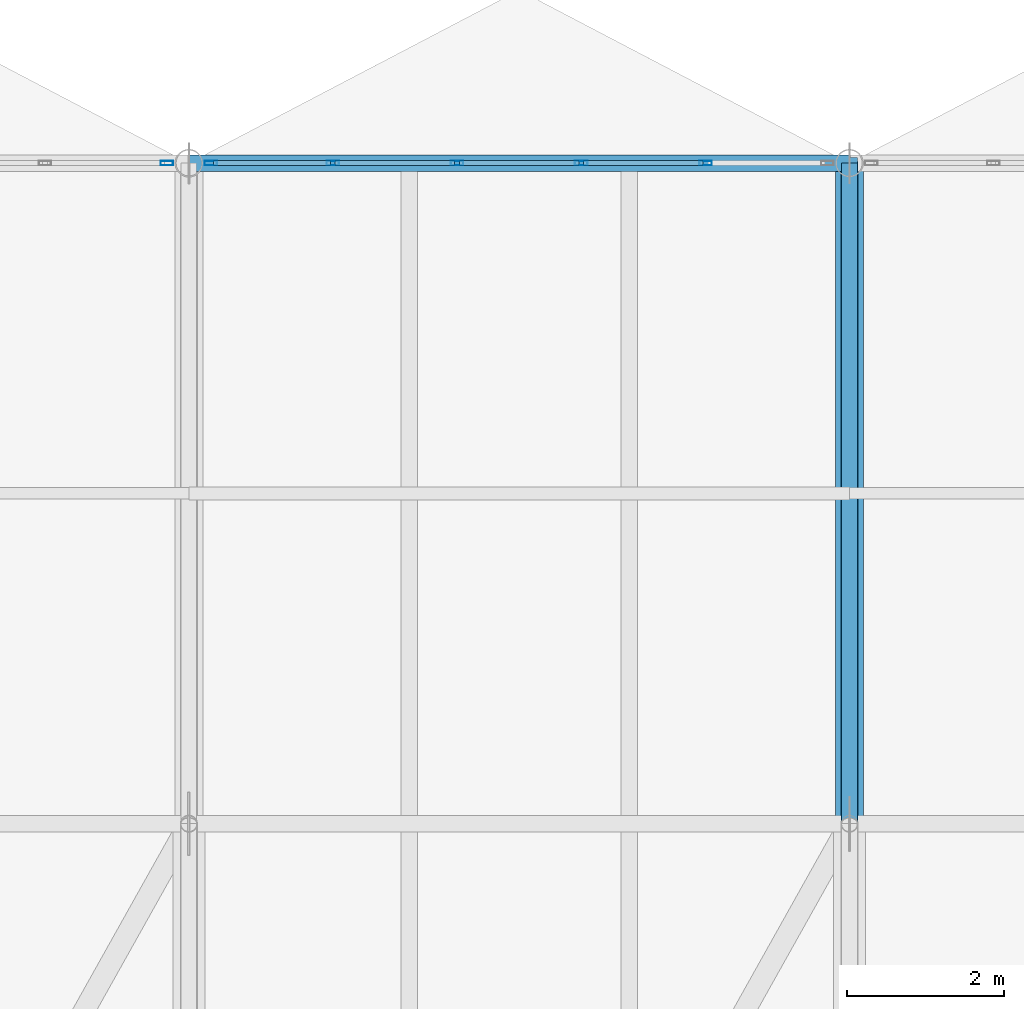
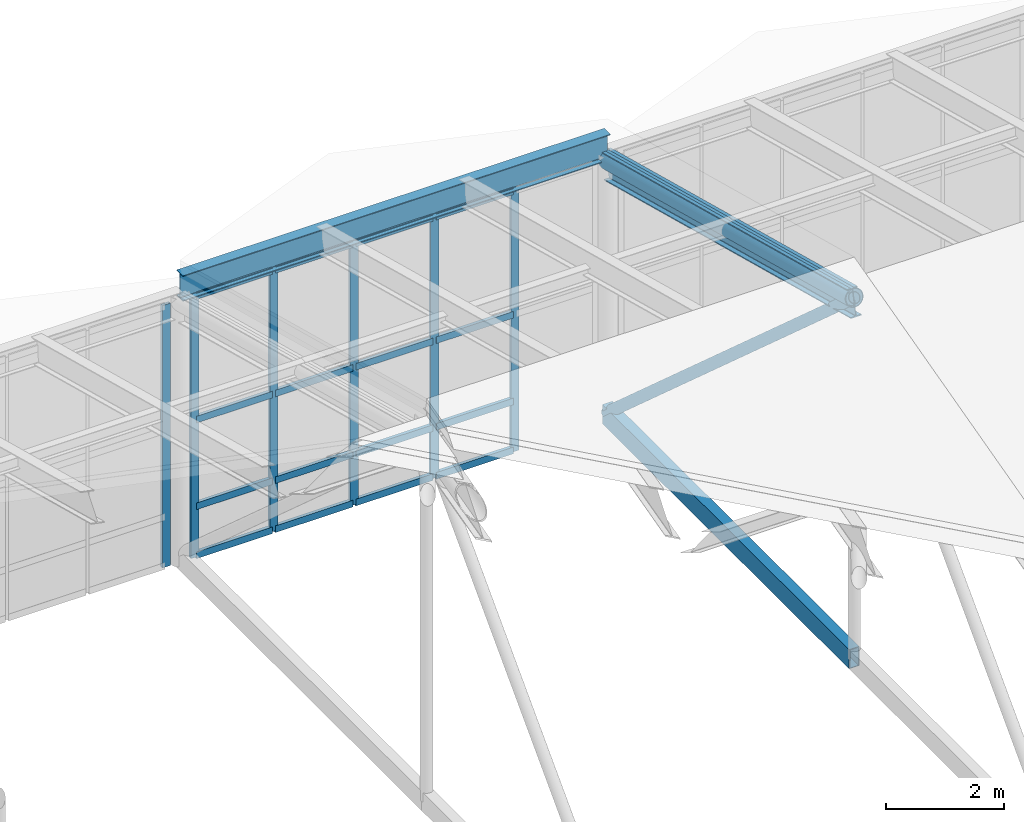
# One storey, part 17 of 43: 25 members, 2 beams, 2 elements without a shape of their own.
"""IFC4 building model written with IfcOpenShell, lengths in metres."""

import ifcopenshell
import ifcopenshell.guid

model = None  # the IFC model being written
_history = None  # IfcOwnerHistory: only IFC2X3 demands one
_inside = {}  # id of a spatial element -> (the spatial element, [elements in it])
_under = {}  # id of a project, library or spatial element -> (it, [spatial elements below it])
_declared = {}  # id of a project -> (the project, [libraries it declares])
_typed = {}  # id of a type object -> (the type object, [elements of that type])
_made_of = {}  # id of a material, layer set ... -> (it, [elements and type objects made of it])


def new_model(schema):
    """Start an empty IFC model of exactly this schema.

    Asked for "IFC4X3", IfcOpenShell would pick the latest addendum, in which some entities
    have other attributes; the version numbers below select the first issue.
    IFC2X3 requires an IfcOwnerHistory on every rooted entity: one is made here for all.
    """
    global model, _history
    if schema == "IFC4X3":
        model = ifcopenshell.file(schema_version=(4, 3, 0, 0))
    else:
        model = ifcopenshell.file(schema=schema)
    _inside.clear()
    _under.clear()
    _declared.clear()
    _typed.clear()
    _made_of.clear()
    _history = None
    if model.schema == "IFC2X3":
        org = make("IfcOrganization", Name="unknown")
        user = make(
            "IfcPersonAndOrganization",
            ThePerson=make("IfcPerson", FamilyName="unknown"),
            TheOrganization=org,
        )
        app = make(
            "IfcApplication",
            ApplicationDeveloper=org,
            Version="unknown",
            ApplicationFullName="unknown",
            ApplicationIdentifier="unknown",
        )
        _history = make(
            "IfcOwnerHistory",
            OwningUser=user,
            OwningApplication=app,
            ChangeAction="ADDED",
            CreationDate=0,
        )
    return model


def make(cls, **values):
    """One entity of the class cls with the attributes given. An attribute that is None is left unset."""
    return model.create_entity(
        cls, **{name: value for name, value in values.items() if value is not None}
    )


def rooted(cls, **values):
    """An entity with a GlobalId (a new one), such as an element, a storey or a relation."""
    return make(cls, GlobalId=ifcopenshell.guid.new(), OwnerHistory=_history, **values)


def si_unit(unit_type, name, prefix=None):
    """IfcSIUnit, for example si_unit("LENGTHUNIT", "METRE", prefix="MILLI")."""
    return make("IfcSIUnit", UnitType=unit_type, Prefix=prefix, Name=name)


def assignment(units):
    """IfcUnitAssignment: the units of a project."""
    return None if units is None else make("IfcUnitAssignment", Units=units)


def point(xyz):
    """IfcCartesianPoint."""
    return None if xyz is None else make("IfcCartesianPoint", Coordinates=xyz)


def direction(xyz):
    """IfcDirection."""
    return None if xyz is None else make("IfcDirection", DirectionRatios=xyz)


def frame(location, z_axis=None, x_axis=None):
    """IfcAxis2Placement3D, a coordinate frame: its origin and axes. An axis left out is left unset."""
    return make(
        "IfcAxis2Placement3D",
        Location=point(location),
        Axis=direction(z_axis),
        RefDirection=direction(x_axis),
    )


def frame_2d(location, x_axis=None):
    """IfcAxis2Placement2D, a coordinate frame in the plane: its origin and x axis."""
    return make(
        "IfcAxis2Placement2D", Location=point(location), RefDirection=direction(x_axis)
    )


def origin():
    """The frame at (0, 0, 0) with its axes left unset."""
    return frame((0.0, 0.0, 0.0))


def origin_2d():
    """The frame at (0, 0) in the plane with its x axis left unset."""
    return frame_2d((0.0, 0.0))


def place(relative_to, where):
    """IfcLocalPlacement: puts the frame where relative to a parent placement (None: the world)."""
    return make(
        "IfcLocalPlacement", PlacementRelTo=relative_to, RelativePlacement=where
    )


def context(
    kind, dimensions, precision=None, world=None, true_north=None, identifier=None
):
    """IfcGeometricRepresentationContext, for example the 3D "Model" context."""
    return make(
        "IfcGeometricRepresentationContext",
        ContextIdentifier=identifier,
        ContextType=kind,
        CoordinateSpaceDimension=dimensions,
        Precision=precision,
        WorldCoordinateSystem=world,
        TrueNorth=true_north,
    )


def subcontext(parent, identifier, kind, view, scale=None):
    """IfcGeometricRepresentationSubContext, for example "Body" below "Model"."""
    return make(
        "IfcGeometricRepresentationSubContext",
        ContextIdentifier=identifier,
        ContextType=kind,
        ParentContext=parent,
        TargetScale=scale,
        TargetView=view,
    )


def project(units=None, contexts=None):
    """IfcProject with its units and contexts."""
    return rooted(
        "IfcProject",
        Name="project",
        RepresentationContexts=contexts,
        UnitsInContext=assignment(units),
    )


def spatial(cls, under=None, at=None, **own):
    """A site, building, storey or space (cls), placed at a placement, below another one or the project."""
    s = rooted(cls, ObjectPlacement=at, **own)
    if under is not None:
        _under.setdefault(under.id(), (under, []))[1].append(s)
    return s


def profile(cls, at=None, kind="AREA", **sizes):
    """A parametric profile (cls). Its sizes go by their IFC names, for example OverallWidth=200.0."""
    return make(cls, ProfileType=kind, Position=at, **sizes)


def hollow_rectangle(**sizes):
    """IfcRectangleHollowProfileDef."""
    return profile("IfcRectangleHollowProfileDef", **sizes)


def hollow_circle(**sizes):
    """IfcCircleHollowProfileDef."""
    return profile("IfcCircleHollowProfileDef", **sizes)


def i_section(**sizes):
    """IfcIShapeProfileDef."""
    return profile("IfcIShapeProfileDef", **sizes)


def extrude(swept, where, along, depth):
    """IfcExtrudedAreaSolid: the profile swept, set in the frame where, extruded along a direction by depth."""
    return make(
        "IfcExtrudedAreaSolid",
        SweptArea=swept,
        Position=where,
        ExtrudedDirection=direction(along),
        Depth=depth,
    )


def shape(context_of_items, identifier, shape_type, items):
    """IfcShapeRepresentation: the items that make up one representation, for example the "Body"."""
    return make(
        "IfcShapeRepresentation",
        ContextOfItems=context_of_items,
        RepresentationIdentifier=identifier,
        RepresentationType=shape_type,
        Items=items,
    )


def material(Name=None, Category=None):
    """IfcMaterial."""
    return make("IfcMaterial", Name=Name, Category=Category)


def layer(
    of_material, thickness, ventilated=None, Name=None, Category=None, Priority=None
):
    """IfcMaterialLayer: one layer of a wall or slab, of a material (None: an air gap)."""
    return make(
        "IfcMaterialLayer",
        Material=of_material,
        LayerThickness=thickness,
        IsVentilated=ventilated,
        Name=Name,
        Category=Category,
        Priority=Priority,
    )


def layer_set(layers, Name=None):
    """IfcMaterialLayerSet."""
    return make("IfcMaterialLayerSet", MaterialLayers=layers, LayerSetName=Name)


def material_profile(
    of_material, cross_section, Name=None, Category=None, Priority=None
):
    """IfcMaterialProfile: a cross section and its material."""
    return make(
        "IfcMaterialProfile",
        Name=Name,
        Material=of_material,
        Profile=cross_section,
        Priority=Priority,
        Category=Category,
    )


def profile_set(profiles, Name=None, composite=None):
    """IfcMaterialProfileSet."""
    return make(
        "IfcMaterialProfileSet",
        Name=Name,
        MaterialProfiles=profiles,
        CompositeProfile=composite,
    )


def made_of(thing, what):
    """Note that an element or type object is made of a material, layer set ...; save() writes the relation."""
    if what is not None:
        _made_of.setdefault(what.id(), (what, []))[1].append(thing)
    return thing


def type_object(cls, material=None, **own):
    """A type object (cls), such as IfcWallType, which elements share."""
    return made_of(rooted(cls, **own), material)


def element(
    cls,
    number,
    at=None,
    inside=None,
    cuts=None,
    type_object=None,
    material=None,
    context=None,
    identifier="Body",
    shape_type=None,
    held_by="IfcProductDefinitionShape",
    body=None,
    shapes=None,
    **own,
):
    """One element of the class cls, such as IfcWall. Its Tag is "e" and its number.

    at: its placement. inside: the storey or other place that contains it. cuts: it is an
    opening in that element (IfcRelVoidsElement). A single representation is given by context,
    identifier, shape_type and body (its items); several are given by shapes. held_by: the class
    of the entity that holds the representations. save() writes the other relations.
    """
    e = rooted(cls, Tag="e%d" % number, ObjectPlacement=at, **own)
    if body is not None:
        shapes = [shape(context, identifier, shape_type, body)]
    if shapes is not None:
        e.Representation = make(held_by, Representations=shapes)
    if inside is not None:
        _inside.setdefault(inside.id(), (inside, []))[1].append(e)
    if cuts is not None:
        rooted(
            "IfcRelVoidsElement", RelatingBuildingElement=cuts, RelatedOpeningElement=e
        )
    if type_object is not None:
        _typed.setdefault(type_object.id(), (type_object, []))[1].append(e)
    return made_of(e, material)


def aggregate(whole, parts):
    """IfcRelAggregates: a whole, such as a stair, and the parts it consists of."""
    return rooted("IfcRelAggregates", RelatingObject=whole, RelatedObjects=parts)


def save(model, path):
    """Write the relations noted so far, then the file.

    IfcRelAggregates (storeys below a building ...), IfcRelContainedInSpatialStructure (elements
    in a storey), IfcRelDefinesByType, IfcRelAssociatesMaterial and IfcRelDeclares: one each for
    every whole, place, type object, material and project.
    """
    for whole, parts in _under.values():
        aggregate(whole, parts)
    for where, things in _inside.values():
        rooted(
            "IfcRelContainedInSpatialStructure",
            RelatedElements=things,
            RelatingStructure=where,
        )
    for kind, things in _typed.values():
        rooted("IfcRelDefinesByType", RelatedObjects=things, RelatingType=kind)
    for what, things in _made_of.values():
        rooted("IfcRelAssociatesMaterial", RelatedObjects=things, RelatingMaterial=what)
    for by, libraries in _declared.values():
        rooted("IfcRelDeclares", RelatingContext=by, RelatedDefinitions=libraries)
    model.write(path)


model = new_model("IFC4")

# Units and contexts
model_context = context("Model", 3, precision=1e-05, world=origin(), true_north=direction((0.0, 1.0)))
body_context = subcontext(model_context, "Body", "Model", "MODEL_VIEW")
ifc_project = project(units=[si_unit("LENGTHUNIT", "METRE"), si_unit("AREAUNIT", "SQUARE_METRE"), si_unit("VOLUMEUNIT", "CUBIC_METRE"), si_unit("PLANEANGLEUNIT", "RADIAN"), si_unit("MASSUNIT", "GRAM", prefix="KILO")], contexts=[model_context])

# Site, building, storey
site_placement = place(None, origin())
site = spatial("IfcSite", under=ifc_project, at=site_placement, CompositionType="ELEMENT")
building_placement = place(site_placement, origin())
building = spatial("IfcBuilding", under=site, at=building_placement, Name="Selat Folded Stagehouse", CompositionType="ELEMENT")
storey_placement = place(building_placement, frame((0.0, 0.0, 32.39990234375)))
storey = spatial("IfcBuildingStorey", under=building, at=storey_placement, Name="RF", CompositionType="ELEMENT", Elevation=32.39990234375)

# Beams
ifc_material_1 = material(Name="Steel S355", Category="steel")
ifc_material_profile_1 = material_profile(ifc_material_1, i_section(OverallWidth=0.210693359375, OverallDepth=0.53955078125, WebThickness=0.01171875, FlangeThickness=0.018798828125, FilletRadius=0.0126953125, at=origin_2d()), Name="UKB 533x210x109")
ifc_profile_set_1 = profile_set([ifc_material_profile_1], Name="Steel S355")
beam_type_1 = type_object("IfcBeamType", Name="BM-GIRD-533x210x109", PredefinedType="BEAM", material=ifc_profile_set_1)
beam_1_placement = place(storey_placement, frame((33.60009765625, 46.199951171875, 7.529296875), z_axis=(0.0, 0.966800633411, -0.25553186736), x_axis=(-1.0, 0.0, 0.0)))
element("IfcBeam", 1, at=beam_1_placement, inside=storey, type_object=beam_type_1, Name="RF primary north rafter beam 4", PredefinedType="BEAM", context=body_context, shape_type="SweptSolid", body=[
    extrude(i_section(OverallWidth=0.210693359375, OverallDepth=0.53955078125, WebThickness=0.01171875, FlangeThickness=0.018798828125, FilletRadius=0.0126953125, at=origin_2d()), origin(), (0.0, 0.0, 1.0), 8.688720703125),
])
ifc_material_profile_2 = material_profile(ifc_material_1, i_section(OverallWidth=0.209228515625, OverallDepth=0.533203125, WebThickness=0.010009765625, FlangeThickness=0.015625, FilletRadius=0.0126953125, at=origin_2d()), Name="UKB 533x210x92")
ifc_profile_set_2 = profile_set([ifc_material_profile_2], Name="Steel S355")
beam_type_2 = type_object("IfcBeamType", Name="BM-GIRD-533x210x92", PredefinedType="BEAM", material=ifc_profile_set_2)
beam_2_placement = place(storey_placement, frame((25.199951171875, 54.60009765625, 5.723388671875), z_axis=(1.0, 0.0, 0.0), x_axis=(0.0, 1.0, 0.0)))
element("IfcBeam", 2, at=beam_2_placement, inside=storey, type_object=beam_type_2, Name="RF bay 3 N roof bearer beam", PredefinedType="BEAM", context=body_context, shape_type="SweptSolid", body=[
    extrude(i_section(OverallWidth=0.209228515625, OverallDepth=0.533203125, WebThickness=0.010009765625, FlangeThickness=0.015625, FilletRadius=0.0126953125, at=origin_2d()), origin(), (0.0, 0.0, 1.0), 8.400146484375),
])

# Curtain wall, member
ifc_material_2 = material(Name="Aluminium 6063-T6", Category="aluminium")
ifc_layer = layer(ifc_material_2, 0.169921875)
ifc_layer_set = layer_set([ifc_layer], Name="Aluminium 6063-T6")
curtain_wall_type = type_object("IfcCurtainWallType", Name="CW-CRN-CLER", PredefinedType="NOTDEFINED", material=ifc_layer_set)
curtain_wall_1_placement = place(storey_placement, origin())
curtain_wall_1 = element("IfcCurtainWall", 3, at=curtain_wall_1_placement, inside=storey, type_object=curtain_wall_type, Name="RF curtain wall CW-RF-N-01", PredefinedType="NOTDEFINED")
ifc_material_profile_3 = material_profile(ifc_material_2, hollow_rectangle(XDim=0.06005859375, YDim=0.159912109375, WallThickness=0.00390625, at=origin_2d()), Name="ALU 160x60x4.0")
ifc_profile_set_3 = profile_set([ifc_material_profile_3], Name="Aluminium 6063-T6")
member_type_1 = type_object("IfcMemberType", Name="CWM-MUL-160x60", PredefinedType="MULLION", material=ifc_profile_set_3)
member_1_placement = place(storey_placement, frame((24.919921875, 54.60009765625, 0.0), z_axis=(0.0, 0.0, 1.0), x_axis=(0.0, 1.0, 0.0)))
member_1 = element("IfcMember", 4, at=member_1_placement, type_object=member_type_1, Name="CW-09 mullion 6", PredefinedType="MULLION", context=body_context, shape_type="SweptSolid", body=[
    extrude(hollow_rectangle(XDim=0.06005859375, YDim=0.159912109375, WallThickness=0.00390625, at=origin_2d()), origin(), (0.0, 0.0, 1.0), 5.4501953125),
])
aggregate(curtain_wall_1, [member_1])

# Curtain wall, members
curtain_wall_2_placement = place(storey_placement, origin())
curtain_wall_2 = element("IfcCurtainWall", 5, at=curtain_wall_2_placement, inside=storey, type_object=curtain_wall_type, Name="RF curtain wall CW-RF-N-02", PredefinedType="NOTDEFINED")
member_2_placement = place(storey_placement, frame((25.47998046875, 54.60009765625, 0.0), z_axis=(0.0, 0.0, 1.0), x_axis=(0.0, 1.0, 0.0)))
member_2 = element("IfcMember", 6, at=member_2_placement, type_object=member_type_1, Name="CW-09 mullion 1", PredefinedType="MULLION", context=body_context, shape_type="SweptSolid", body=[
    extrude(hollow_rectangle(XDim=0.06005859375, YDim=0.159912109375, WallThickness=0.00390625, at=origin_2d()), origin(), (0.0, 0.0, 1.0), 5.4501953125),
])
member_3_placement = place(storey_placement, frame((27.030029296875, 54.60009765625, 0.0), z_axis=(0.0, 0.0, 1.0), x_axis=(0.0, 1.0, 0.0)))
member_3 = element("IfcMember", 7, at=member_3_placement, type_object=member_type_1, Name="CW-09 mullion 2", PredefinedType="MULLION", context=body_context, shape_type="SweptSolid", body=[
    extrude(hollow_rectangle(XDim=0.06005859375, YDim=0.159912109375, WallThickness=0.00390625, at=origin_2d()), origin(), (0.0, 0.0, 1.0), 5.4501953125),
])
member_4_placement = place(storey_placement, frame((28.610107421875, 54.60009765625, 0.0), z_axis=(0.0, 0.0, 1.0), x_axis=(0.0, 1.0, 0.0)))
member_4 = element("IfcMember", 8, at=member_4_placement, type_object=member_type_1, Name="CW-09 mullion 3", PredefinedType="MULLION", context=body_context, shape_type="SweptSolid", body=[
    extrude(hollow_rectangle(XDim=0.06005859375, YDim=0.159912109375, WallThickness=0.00390625, at=origin_2d()), origin(), (0.0, 0.0, 1.0), 5.4501953125),
])
member_5_placement = place(storey_placement, frame((30.18994140625, 54.60009765625, 0.0), z_axis=(0.0, 0.0, 1.0), x_axis=(0.0, 1.0, 0.0)))
member_5 = element("IfcMember", 9, at=member_5_placement, type_object=member_type_1, Name="CW-09 mullion 4", PredefinedType="MULLION", context=body_context, shape_type="SweptSolid", body=[
    extrude(hollow_rectangle(XDim=0.06005859375, YDim=0.159912109375, WallThickness=0.00390625, at=origin_2d()), origin(), (0.0, 0.0, 1.0), 5.4501953125),
])
member_6_placement = place(storey_placement, frame((31.77001953125, 54.60009765625, 0.0), z_axis=(0.0, 0.0, 1.0), x_axis=(0.0, 1.0, 0.0)))
member_6 = element("IfcMember", 10, at=member_6_placement, type_object=member_type_1, Name="CW-09 mullion 5", PredefinedType="MULLION", context=body_context, shape_type="SweptSolid", body=[
    extrude(hollow_rectangle(XDim=0.06005859375, YDim=0.159912109375, WallThickness=0.00390625, at=origin_2d()), origin(), (0.0, 0.0, 1.0), 5.4501953125),
])
ifc_material_profile_4 = material_profile(ifc_material_2, hollow_rectangle(XDim=0.06494140625, YDim=0.139892578125, WallThickness=0.00390625, at=origin_2d()), Name="ALU 140x65x4.0")
ifc_profile_set_4 = profile_set([ifc_material_profile_4], Name="Aluminium 6063-T6")
member_type_2 = type_object("IfcMemberType", Name="CWM-TRN-140x65", PredefinedType="USERDEFINED", material=ifc_profile_set_4)
member_7_placement = place(storey_placement, frame((25.510009765625, 54.60009765625, 0.03271484375), z_axis=(1.0, 0.0, 0.0), x_axis=(0.0, 1.0, 0.0)))
member_7 = element("IfcMember", 11, at=member_7_placement, type_object=member_type_2, Name="CW-09 transom 1.1", ObjectType="TRANSOM", PredefinedType="USERDEFINED", context=body_context, shape_type="SweptSolid", body=[
    extrude(hollow_rectangle(XDim=0.06494140625, YDim=0.139892578125, WallThickness=0.00390625, at=origin_2d()), origin(), (0.0, 0.0, 1.0), 1.489990234375),
])
member_8_placement = place(storey_placement, frame((25.510009765625, 54.60009765625, 1.050048828125), z_axis=(1.0, 0.0, 0.0), x_axis=(0.0, 1.0, 0.0)))
member_8 = element("IfcMember", 12, at=member_8_placement, type_object=member_type_2, Name="CW-09 transom 1.2", ObjectType="TRANSOM", PredefinedType="USERDEFINED", context=body_context, shape_type="SweptSolid", body=[
    extrude(hollow_rectangle(XDim=0.06494140625, YDim=0.139892578125, WallThickness=0.00390625, at=origin_2d()), origin(), (0.0, 0.0, 1.0), 1.489990234375),
])
member_9_placement = place(storey_placement, frame((25.510009765625, 54.60009765625, 2.85009765625), z_axis=(1.0, 0.0, 0.0), x_axis=(0.0, 1.0, 0.0)))
member_9 = element("IfcMember", 13, at=member_9_placement, type_object=member_type_2, Name="CW-09 transom 1.3", ObjectType="TRANSOM", PredefinedType="USERDEFINED", context=body_context, shape_type="SweptSolid", body=[
    extrude(hollow_rectangle(XDim=0.06494140625, YDim=0.139892578125, WallThickness=0.00390625, at=origin_2d()), origin(), (0.0, 0.0, 1.0), 1.489990234375),
])
member_10_placement = place(storey_placement, frame((25.510009765625, 54.60009765625, 5.41748046875), z_axis=(1.0, 0.0, 0.0), x_axis=(0.0, 1.0, 0.0)))
member_10 = element("IfcMember", 14, at=member_10_placement, type_object=member_type_2, Name="CW-09 transom 1.4", ObjectType="TRANSOM", PredefinedType="USERDEFINED", context=body_context, shape_type="SweptSolid", body=[
    extrude(hollow_rectangle(XDim=0.06494140625, YDim=0.139892578125, WallThickness=0.00390625, at=origin_2d()), origin(), (0.0, 0.0, 1.0), 1.489990234375),
])
member_11_placement = place(storey_placement, frame((27.06005859375, 54.60009765625, 0.03271484375), z_axis=(1.0, 0.0, 0.0), x_axis=(0.0, 1.0, 0.0)))
member_11 = element("IfcMember", 15, at=member_11_placement, type_object=member_type_2, Name="CW-09 transom 2.1", ObjectType="TRANSOM", PredefinedType="USERDEFINED", context=body_context, shape_type="SweptSolid", body=[
    extrude(hollow_rectangle(XDim=0.06494140625, YDim=0.139892578125, WallThickness=0.00390625, at=origin_2d()), origin(), (0.0, 0.0, 1.0), 1.52001953125),
])
member_12_placement = place(storey_placement, frame((27.06005859375, 54.60009765625, 1.050048828125), z_axis=(1.0, 0.0, 0.0), x_axis=(0.0, 1.0, 0.0)))
member_12 = element("IfcMember", 16, at=member_12_placement, type_object=member_type_2, Name="CW-09 transom 2.2", ObjectType="TRANSOM", PredefinedType="USERDEFINED", context=body_context, shape_type="SweptSolid", body=[
    extrude(hollow_rectangle(XDim=0.06494140625, YDim=0.139892578125, WallThickness=0.00390625, at=origin_2d()), origin(), (0.0, 0.0, 1.0), 1.52001953125),
])
member_13_placement = place(storey_placement, frame((27.06005859375, 54.60009765625, 2.85009765625), z_axis=(1.0, 0.0, 0.0), x_axis=(0.0, 1.0, 0.0)))
member_13 = element("IfcMember", 17, at=member_13_placement, type_object=member_type_2, Name="CW-09 transom 2.3", ObjectType="TRANSOM", PredefinedType="USERDEFINED", context=body_context, shape_type="SweptSolid", body=[
    extrude(hollow_rectangle(XDim=0.06494140625, YDim=0.139892578125, WallThickness=0.00390625, at=origin_2d()), origin(), (0.0, 0.0, 1.0), 1.52001953125),
])
member_14_placement = place(storey_placement, frame((27.06005859375, 54.60009765625, 5.41748046875), z_axis=(1.0, 0.0, 0.0), x_axis=(0.0, 1.0, 0.0)))
member_14 = element("IfcMember", 18, at=member_14_placement, type_object=member_type_2, Name="CW-09 transom 2.4", ObjectType="TRANSOM", PredefinedType="USERDEFINED", context=body_context, shape_type="SweptSolid", body=[
    extrude(hollow_rectangle(XDim=0.06494140625, YDim=0.139892578125, WallThickness=0.00390625, at=origin_2d()), origin(), (0.0, 0.0, 1.0), 1.52001953125),
])
member_15_placement = place(storey_placement, frame((28.639892578125, 54.60009765625, 0.03271484375), z_axis=(1.0, 0.0, 0.0), x_axis=(0.0, 1.0, 0.0)))
member_15 = element("IfcMember", 19, at=member_15_placement, type_object=member_type_2, Name="CW-09 transom 3.1", ObjectType="TRANSOM", PredefinedType="USERDEFINED", context=body_context, shape_type="SweptSolid", body=[
    extrude(hollow_rectangle(XDim=0.06494140625, YDim=0.139892578125, WallThickness=0.00390625, at=origin_2d()), origin(), (0.0, 0.0, 1.0), 1.52001953125),
])
member_16_placement = place(storey_placement, frame((28.639892578125, 54.60009765625, 1.050048828125), z_axis=(1.0, 0.0, 0.0), x_axis=(0.0, 1.0, 0.0)))
member_16 = element("IfcMember", 20, at=member_16_placement, type_object=member_type_2, Name="CW-09 transom 3.2", ObjectType="TRANSOM", PredefinedType="USERDEFINED", context=body_context, shape_type="SweptSolid", body=[
    extrude(hollow_rectangle(XDim=0.06494140625, YDim=0.139892578125, WallThickness=0.00390625, at=origin_2d()), origin(), (0.0, 0.0, 1.0), 1.52001953125),
])
member_17_placement = place(storey_placement, frame((28.639892578125, 54.60009765625, 2.85009765625), z_axis=(1.0, 0.0, 0.0), x_axis=(0.0, 1.0, 0.0)))
member_17 = element("IfcMember", 21, at=member_17_placement, type_object=member_type_2, Name="CW-09 transom 3.3", ObjectType="TRANSOM", PredefinedType="USERDEFINED", context=body_context, shape_type="SweptSolid", body=[
    extrude(hollow_rectangle(XDim=0.06494140625, YDim=0.139892578125, WallThickness=0.00390625, at=origin_2d()), origin(), (0.0, 0.0, 1.0), 1.52001953125),
])
member_18_placement = place(storey_placement, frame((28.639892578125, 54.60009765625, 5.41748046875), z_axis=(1.0, 0.0, 0.0), x_axis=(0.0, 1.0, 0.0)))
member_18 = element("IfcMember", 22, at=member_18_placement, type_object=member_type_2, Name="CW-09 transom 3.4", ObjectType="TRANSOM", PredefinedType="USERDEFINED", context=body_context, shape_type="SweptSolid", body=[
    extrude(hollow_rectangle(XDim=0.06494140625, YDim=0.139892578125, WallThickness=0.00390625, at=origin_2d()), origin(), (0.0, 0.0, 1.0), 1.52001953125),
])
member_19_placement = place(storey_placement, frame((30.219970703125, 54.60009765625, 0.03271484375), z_axis=(1.0, 0.0, 0.0), x_axis=(0.0, 1.0, 0.0)))
member_19 = element("IfcMember", 23, at=member_19_placement, type_object=member_type_2, Name="CW-09 transom 4.1", ObjectType="TRANSOM", PredefinedType="USERDEFINED", context=body_context, shape_type="SweptSolid", body=[
    extrude(hollow_rectangle(XDim=0.06494140625, YDim=0.139892578125, WallThickness=0.00390625, at=origin_2d()), origin(), (0.0, 0.0, 1.0), 1.52001953125),
])
member_20_placement = place(storey_placement, frame((30.219970703125, 54.60009765625, 1.050048828125), z_axis=(1.0, 0.0, 0.0), x_axis=(0.0, 1.0, 0.0)))
member_20 = element("IfcMember", 24, at=member_20_placement, type_object=member_type_2, Name="CW-09 transom 4.2", ObjectType="TRANSOM", PredefinedType="USERDEFINED", context=body_context, shape_type="SweptSolid", body=[
    extrude(hollow_rectangle(XDim=0.06494140625, YDim=0.139892578125, WallThickness=0.00390625, at=origin_2d()), origin(), (0.0, 0.0, 1.0), 1.52001953125),
])
member_21_placement = place(storey_placement, frame((30.219970703125, 54.60009765625, 2.85009765625), z_axis=(1.0, 0.0, 0.0), x_axis=(0.0, 1.0, 0.0)))
member_21 = element("IfcMember", 25, at=member_21_placement, type_object=member_type_2, Name="CW-09 transom 4.3", ObjectType="TRANSOM", PredefinedType="USERDEFINED", context=body_context, shape_type="SweptSolid", body=[
    extrude(hollow_rectangle(XDim=0.06494140625, YDim=0.139892578125, WallThickness=0.00390625, at=origin_2d()), origin(), (0.0, 0.0, 1.0), 1.52001953125),
])
member_22_placement = place(storey_placement, frame((30.219970703125, 54.60009765625, 5.41748046875), z_axis=(1.0, 0.0, 0.0), x_axis=(0.0, 1.0, 0.0)))
member_22 = element("IfcMember", 26, at=member_22_placement, type_object=member_type_2, Name="CW-09 transom 4.4", ObjectType="TRANSOM", PredefinedType="USERDEFINED", context=body_context, shape_type="SweptSolid", body=[
    extrude(hollow_rectangle(XDim=0.06494140625, YDim=0.139892578125, WallThickness=0.00390625, at=origin_2d()), origin(), (0.0, 0.0, 1.0), 1.52001953125),
])
aggregate(curtain_wall_2, [member_2, member_3, member_4, member_5, member_6, member_7, member_8, member_9, member_10, member_11, member_12, member_13, member_14, member_15, member_16, member_17, member_18, member_19, member_20, member_21, member_22])

# Members
ifc_material_profile_5 = material_profile(ifc_material_1, hollow_circle(Radius=0.109619140625, WallThickness=0.010009765625, at=origin_2d()), Name="CHS 219.1x10.0")
ifc_profile_set_5 = profile_set([ifc_material_profile_5], Name="Steel S355")
member_type_3 = type_object("IfcMemberType", Name="MEM-BRACE-CHS219", PredefinedType="BRACE", material=ifc_profile_set_5)
member_23_placement = place(storey_placement, frame((33.60009765625, 46.199951171875, 7.6279296875), z_axis=(0.0, 0.746924046978, -0.664909368294), x_axis=(-1.0, 0.0, 0.0)))
element("IfcMember", 27, at=member_23_placement, inside=storey, type_object=member_type_3, Name="Folded-plate web diagonal 4.4", PredefinedType="BRACE", context=body_context, shape_type="SweptSolid", body=[
    extrude(hollow_circle(Radius=0.109619140625, WallThickness=0.010009765625, at=origin_2d()), origin(), (0.0, 0.0, 1.0), 11.246337890625),
])
ifc_material_profile_6 = material_profile(ifc_material_1, hollow_circle(Radius=0.177734375, WallThickness=0.01611328125, at=origin_2d()), Name="CHS 355.6x16.0")
ifc_profile_set_6 = profile_set([ifc_material_profile_6], Name="Steel S355")
member_type_4 = type_object("IfcMemberType", Name="MEM-CHORD-CHS355", PredefinedType="CHORD", material=ifc_profile_set_6)
member_24_placement = place(storey_placement, frame((33.60009765625, 46.199951171875, 7.6279296875), z_axis=(0.0, 0.966807574904, -0.255505602889), x_axis=(-1.0, 0.0, 0.0)))
element("IfcMember", 28, at=member_24_placement, inside=storey, type_object=member_type_4, Name="Folded-plate top chord 4.4", PredefinedType="CHORD", context=body_context, shape_type="SweptSolid", body=[
    extrude(hollow_circle(Radius=0.177734375, WallThickness=0.01611328125, at=origin_2d()), origin(), (0.0, 0.0, 1.0), 8.6884765625),
])
ifc_material_profile_7 = material_profile(ifc_material_1, hollow_rectangle(XDim=0.199951171875, YDim=0.39990234375, WallThickness=0.012451171875, at=origin_2d()), Name="RHS 400x200x12.5")
ifc_profile_set_7 = profile_set([ifc_material_profile_7], Name="Steel S355")
member_type_5 = type_object("IfcMemberType", Name="MEM-CHORD-RHS400", PredefinedType="CHORD", material=ifc_profile_set_7)
member_25_placement = place(storey_placement, frame((33.60009765625, 46.199951171875, 0.150146484375), z_axis=(0.0, 1.0, 0.0), x_axis=(-1.0, 0.0, 0.0)))
element("IfcMember", 29, at=member_25_placement, inside=storey, type_object=member_type_5, Name="Folded-plate bottom tie 4.4", PredefinedType="CHORD", context=body_context, shape_type="SweptSolid", body=[
    extrude(hollow_rectangle(XDim=0.199951171875, YDim=0.39990234375, WallThickness=0.012451171875, at=origin_2d()), origin(), (0.0, 0.0, 1.0), 8.400146484375),
])

save(model, "model.ifc")
